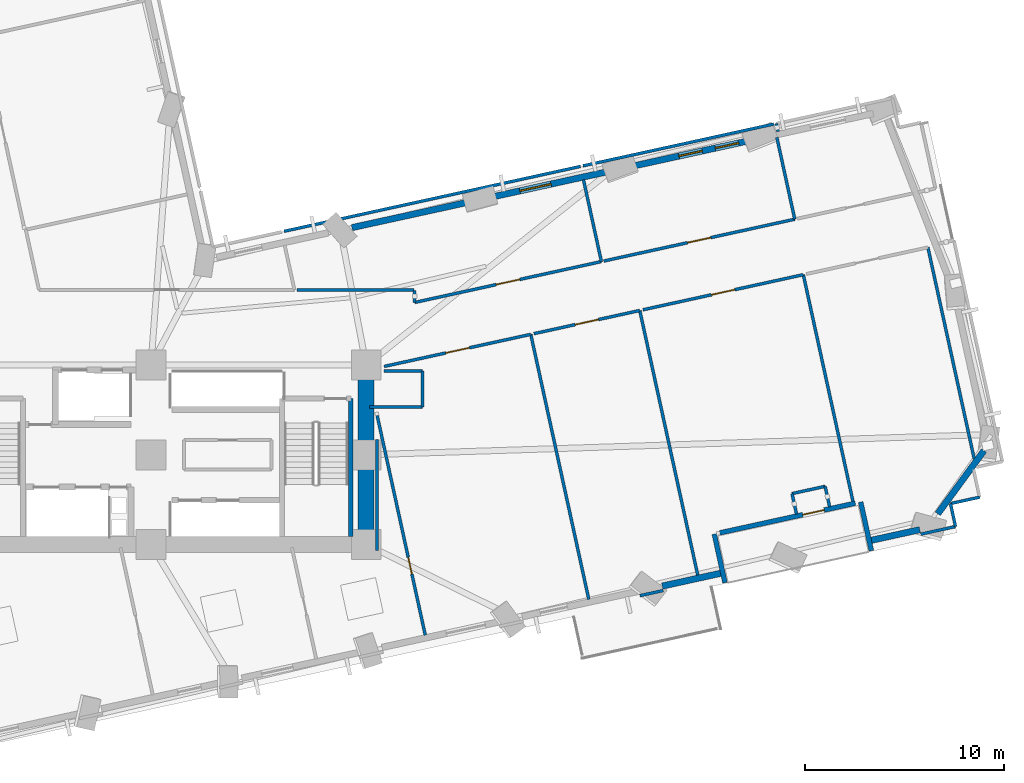
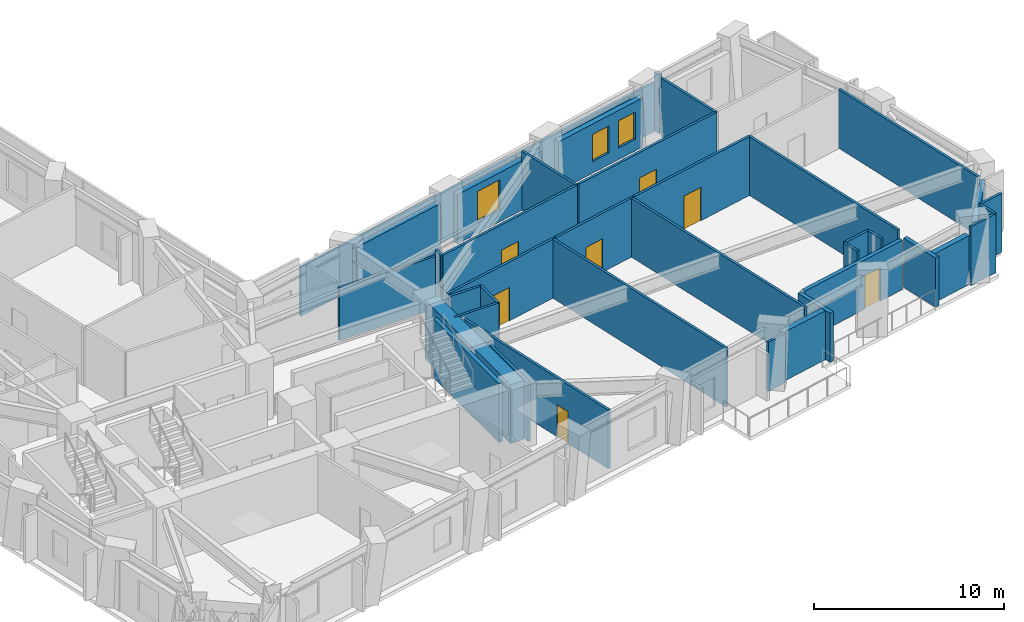
# One storey, part 8 of 14: 39 walls, 7 doors, 3 windows, 10 openings.
"""IFC4 building model written with IfcOpenShell, lengths in metres."""

from ifc_helpers import new_model, si_unit, direction, frame, frame_2d, origin, place, context, subcontext, project, spatial, rectangle, extrude, material, layer, layer_set, type_object, element, fill, save


model = new_model("IFC4")

# Units and contexts
model_context = context("Model", 3, precision=1e-05, world=origin(), true_north=direction((0.0, 1.0)))
body_context = subcontext(model_context, "Body", "Model", "MODEL_VIEW")
ifc_project = project(units=[si_unit("LENGTHUNIT", "METRE"), si_unit("AREAUNIT", "SQUARE_METRE"), si_unit("VOLUMEUNIT", "CUBIC_METRE"), si_unit("PLANEANGLEUNIT", "RADIAN"), si_unit("MASSUNIT", "GRAM", prefix="KILO")], contexts=[model_context])

# Site, building, storey
site_placement = place(None, origin())
site = spatial("IfcSite", under=ifc_project, at=site_placement, CompositionType="ELEMENT")
building_placement = place(site_placement, origin())
building = spatial("IfcBuilding", under=site, at=building_placement, Name="Gaonmaruhae Medical Tower", CompositionType="ELEMENT")
storey_placement = place(building_placement, frame((0.0, 0.0, 75.0)))
storey = spatial("IfcBuildingStorey", under=building, at=storey_placement, Name="L17", CompositionType="ELEMENT", Elevation=75.0)

# Wall
ifc_material_1 = material(Name="Concrete C60/75", Category="concrete")
ifc_layer_1 = layer(ifc_material_1, 0.800048828125)
ifc_layer_set_1 = layer_set([ifc_layer_1], Name="Concrete C60/75")
wall_type_1 = type_object("IfcWallType", Name="CW-800 Lower Core Shear Wall", PredefinedType="SHEAR", material=ifc_layer_set_1)
wall_1_placement = place(storey_placement, frame((35.60009765625, 7.800048828125, 0.0), z_axis=(0.0, 0.0, 1.0), x_axis=(0.0, 1.0, 0.0)))
element("IfcWall", 1, at=wall_1_placement, inside=storey, type_object=wall_type_1, Name="L17 Core Shear Wall CSW-E1", PredefinedType="SHEAR", context=body_context, shape_type="SweptSolid", body=[
    extrude(rectangle(XDim=9.0, YDim=0.800048828125, at=frame_2d((4.5, 0.0))), origin(), (0.0, 0.0, 1.0), 3.780029296875),
])

# Wall, opening, door
ifc_material_2 = material(Name="Precast concrete C45/55", Category="concrete")
ifc_layer_2 = layer(ifc_material_2, 0.239990234375)
ifc_layer_set_2 = layer_set([ifc_layer_2], Name="Precast concrete C45/55")
wall_type_2 = type_object("IfcWallType", Name="EW-240 Ribbon & Shelter Insulated Precast Wall", PredefinedType="SOLIDWALL", material=ifc_layer_set_2)
wall_2_placement = place(storey_placement, frame((60.14013671875, 9.87109375, 0.0), z_axis=(0.0, 0.0, 1.0), x_axis=(-0.976854226767, -0.213906100073, 0.0)))
wall_2 = element("IfcWall", 2, at=wall_2_placement, inside=storey, type_object=wall_type_2, Name="L17 Recessed Terrace Enclosure Wall TERB", PredefinedType="SOLIDWALL", context=body_context, shape_type="SweptSolid", body=[
    extrude(rectangle(XDim=6.9599609375, YDim=0.239990234375, at=frame_2d((3.47998046875, 0.0))), origin(), (0.0, 0.0, 1.0), 3.1650390625),
])
opening_1_placement = place(wall_2_placement, frame((1.595703125, 0.0, 0.0)))
opening_1 = element("IfcOpeningElement", 3, at=opening_1_placement, cuts=wall_2, Name="Opening TD-01", PredefinedType="OPENING", context=body_context, shape_type="SweptSolid", body=[
    extrude(rectangle(XDim=1.10009765625, YDim=2.14990234375, at=frame_2d((0.550048828125, 1.074951171875))), frame((0.0, 0.1298828125, 0.0), z_axis=(0.0, -1.0, 0.0), x_axis=(1.0, 0.0, 0.0)), (0.0, 0.0, 1.0), 0.260009765625),
])
ifc_material_3 = material(Name="Anodised aluminium and toughened safety glass", Category="aluminium")
door_type_1 = type_object("IfcDoorType", Name="TD-01 Terrace & Sky Garden Glazed Door 1100x2150", OperationType="NOTDEFINED", PredefinedType="DOOR", material=ifc_material_3)
door_1_placement = place(opening_1_placement, origin())
door_1 = element("IfcDoor", 4, at=door_1_placement, inside=storey, type_object=door_type_1, Name="L17 Outdoor Terrace Access Door SLB-L17-TER", OperationType="SINGLE_SWING_LEFT", OverallHeight=2.14990234375, OverallWidth=1.10009765625, PredefinedType="DOOR", context=body_context, shape_type="SweptSolid", body=[
    extrude(rectangle(XDim=1.10009765625, YDim=2.14990234375, at=frame_2d((0.550048828125, 1.074951171875))), frame((0.0, 0.02490234375, 0.0), z_axis=(0.0, -1.0, 0.0), x_axis=(1.0, 0.0, 0.0)), (0.0, 0.0, 1.0), 0.050048828125),
])
fill(opening_1, door_1)

# Walls
for number, where, z_axis, x_axis, name in (
    (5, (53.067626953125, 8.322509765625, 0.0), (0.0, 0.0, 1.0), (0.213961895248, -0.97684200738, 0.0), "L17 Recessed Terrace Enclosure Wall TERL"),
    (6, (60.948486328125, 7.48876953125, 0.0), (0.0, 0.0, 1.0), (-0.213868708035, 0.976862413917, 0.0), "L17 Recessed Terrace Enclosure Wall TERR"),
):
    element("IfcWall", number, at=place(storey_placement, frame(where, z_axis=z_axis, x_axis=x_axis)), inside=storey, type_object=wall_type_2, Name=name, PredefinedType="SOLIDWALL", context=body_context, shape_type="SweptSolid", body=[
        extrude(rectangle(XDim=2.5, YDim=0.239990234375, at=frame_2d((1.25, 0.0))), origin(), (0.0, 0.0, 1.0), 3.1650390625),
    ])
ifc_layer_3 = layer(ifc_material_2, 0.320068359375)
ifc_layer_set_3 = layer_set([ifc_layer_3], Name="Precast concrete C45/55")
wall_type_3 = type_object("IfcWallType", Name="EW-320 Lower Precast Masonry-Frame Facade Wall", PredefinedType="SOLIDWALL", material=ifc_layer_set_3)
wall_3_placement = place(storey_placement, frame((53.473876953125, 6.374267578125, 0.0), z_axis=(0.0, 0.0, 1.0), x_axis=(-0.97684998209, -0.213925483498, 0.0)))
element("IfcWall", 7, at=wall_3_placement, inside=storey, type_object=wall_type_3, Name="L17 Precast Masonry-Frame Wall S06-S07", PredefinedType="SOLIDWALL", context=body_context, shape_type="SweptSolid", body=[
    extrude(rectangle(XDim=3.08935546875, YDim=0.320068359375, at=frame_2d((1.544677734375, 0.0))), origin(), (0.0, 0.0, 1.0), 3.14501953125),
])
wall_4_placement = place(storey_placement, frame((63.381103515625, 8.54345703125, 0.0), z_axis=(0.0, 0.0, 1.0), x_axis=(-0.976858669403, -0.213885810685, 0.0)))
element("IfcWall", 8, at=wall_4_placement, inside=storey, type_object=wall_type_3, Name="L17 Precast Masonry-Frame Wall S07-S08", PredefinedType="SOLIDWALL", context=body_context, shape_type="SweptSolid", body=[
    extrude(rectangle(XDim=2.58203125, YDim=0.320068359375, at=frame_2d((1.291015625, 0.0))), origin(), (0.0, 0.0, 1.0), 3.14501953125),
])
wall_5_placement = place(storey_placement, frame((66.600830078125, 12.510986328125, 0.0), z_axis=(0.0, 0.0, 1.0), x_axis=(-0.590589974472, -0.806971797558, 0.0)))
element("IfcWall", 9, at=wall_5_placement, inside=storey, type_object=wall_type_3, Name="L17 Precast Masonry-Frame Wall S08-E01", PredefinedType="SOLIDWALL", context=body_context, shape_type="SweptSolid", body=[
    extrude(rectangle(XDim=3.927490234375, YDim=0.320068359375, at=frame_2d((1.9638671875, 0.0))), origin(), (0.0, 0.0, 1.0), 3.1650390625),
])

# Wall, openings, windows
wall_6_placement = place(storey_placement, frame((48.937744140625, 26.776123046875, 0.0), z_axis=(0.0, 0.0, 1.0), x_axis=(0.976857433448, 0.213891455455, 0.0)))
wall_6 = element("IfcWall", 10, at=wall_6_placement, inside=storey, type_object=wall_type_3, Name="L17 Precast Masonry-Frame Wall EN01-EN02", PredefinedType="SOLIDWALL", context=body_context, shape_type="SweptSolid", body=[
    extrude(rectangle(XDim=6.0244140625, YDim=0.320068359375, at=frame_2d((3.01220703125, 0.0))), origin(), (0.0, 0.0, 1.0), 3.1650390625),
])
opening_2_placement = place(wall_6_placement, frame((2.40869140625, 0.0, 0.75)))
opening_2 = element("IfcOpeningElement", 11, at=opening_2_placement, cuts=wall_6, Name="Opening WN-05", PredefinedType="OPENING", context=body_context, shape_type="SweptSolid", body=[
    extrude(rectangle(XDim=1.199951171875, YDim=1.75, at=frame_2d((0.60009765625, 0.875))), frame((0.0, 0.169921875, 0.0), z_axis=(0.0, -1.0, 0.0), x_axis=(1.0, 0.0, 0.0)), (0.0, 0.0, 1.0), 0.340087890625),
])
opening_3_placement = place(wall_6_placement, frame((4.275146484375, 0.0, 0.75)))
opening_3 = element("IfcOpeningElement", 12, at=opening_3_placement, cuts=wall_6, Name="Opening WN-05", PredefinedType="OPENING", context=body_context, shape_type="SweptSolid", body=[
    extrude(rectangle(XDim=1.199951171875, YDim=1.75, at=frame_2d((0.60009765625, 0.875))), frame((0.0, 0.169921875, 0.0), z_axis=(0.0, -1.0, 0.0), x_axis=(1.0, 0.0, 0.0)), (0.0, 0.0, 1.0), 0.340087890625),
])
ifc_material_4 = material(Name="Anodised aluminium and Low-E double glazing", Category="aluminium")
window_type_1 = type_object("IfcWindowType", Name="WN-05 Support & Staff Punched Window 1200x1750", PartitioningType="SINGLE_PANEL", PredefinedType="WINDOW", material=ifc_material_4)
window_1_placement = place(opening_2_placement, origin())
window_1 = element("IfcWindow", 13, at=window_1_placement, inside=storey, type_object=window_type_1, Name="L17 Modular Facade Window EN01", OverallHeight=1.75, OverallWidth=1.199951171875, PartitioningType="SINGLE_PANEL", PredefinedType="WINDOW", context=body_context, shape_type="SweptSolid", body=[
    extrude(rectangle(XDim=1.199951171875, YDim=1.75, at=frame_2d((0.60009765625, 0.875))), frame((0.0, 0.030029296875, 0.0), z_axis=(0.0, -1.0, 0.0), x_axis=(1.0, 0.0, 0.0)), (0.0, 0.0, 1.0), 0.06005859375),
])
fill(opening_2, window_1)
window_2_placement = place(opening_3_placement, origin())
window_2 = element("IfcWindow", 14, at=window_2_placement, inside=storey, type_object=window_type_1, Name="L17 Modular Facade Window EN01B", OverallHeight=1.75, OverallWidth=1.199951171875, PartitioningType="SINGLE_PANEL", PredefinedType="WINDOW", context=body_context, shape_type="SweptSolid", body=[
    extrude(rectangle(XDim=1.199951171875, YDim=1.75, at=frame_2d((0.60009765625, 0.875))), frame((0.0, 0.030029296875, 0.0), z_axis=(0.0, -1.0, 0.0), x_axis=(1.0, 0.0, 0.0)), (0.0, 0.0, 1.0), 0.06005859375),
])
fill(opening_3, window_2)

# Wall, opening, window
wall_7_placement = place(storey_placement, frame((41.913818359375, 25.23828125, 0.0), z_axis=(0.0, 0.0, 1.0), x_axis=(0.976860180351, 0.213878909769, 0.0)))
wall_7 = element("IfcWall", 15, at=wall_7_placement, inside=storey, type_object=wall_type_3, Name="L17 Precast Masonry-Frame Wall EN02-EN03", PredefinedType="SOLIDWALL", context=body_context, shape_type="SweptSolid", body=[
    extrude(rectangle(XDim=5.999755859375, YDim=0.320068359375, at=frame_2d((3.0, 0.0))), origin(), (0.0, 0.0, 1.0), 3.1650390625),
])
opening_4_placement = place(wall_7_placement, frame((1.4296875, 0.0, 0.75)))
opening_4 = element("IfcOpeningElement", 16, at=opening_4_placement, cuts=wall_7, Name="Opening WN-01", PredefinedType="OPENING", context=body_context, shape_type="SweptSolid", body=[
    extrude(rectangle(XDim=1.60009765625, YDim=1.949951171875, at=frame_2d((0.800048828125, 0.97509765625))), frame((0.0, 0.169921875, 0.0), z_axis=(0.0, -1.0, 0.0), x_axis=(1.0, 0.0, 0.0)), (0.0, 0.0, 1.0), 0.340087890625),
])
window_type_2 = type_object("IfcWindowType", Name="WN-01 Ward Punched Acoustic Window 1600x1950", PartitioningType="SINGLE_PANEL", PredefinedType="WINDOW", material=ifc_material_4)
window_3_placement = place(opening_4_placement, origin())
window_3 = element("IfcWindow", 17, at=window_3_placement, inside=storey, type_object=window_type_2, Name="L17 Modular Facade Window EN02", OverallHeight=1.949951171875, OverallWidth=1.60009765625, PartitioningType="SINGLE_PANEL", PredefinedType="WINDOW", context=body_context, shape_type="SweptSolid", body=[
    extrude(rectangle(XDim=1.60009765625, YDim=1.949951171875, at=frame_2d((0.800048828125, 0.97509765625))), frame((0.0, 0.030029296875, 0.0), z_axis=(0.0, -1.0, 0.0), x_axis=(1.0, 0.0, 0.0)), (0.0, 0.0, 1.0), 0.06005859375),
])
fill(opening_4, window_3)

# Wall
wall_8_placement = place(storey_placement, frame((34.88427734375, 23.69921875, 0.0), z_axis=(0.0, 0.0, 1.0), x_axis=(0.976858764246, 0.213885377519, 0.0)))
element("IfcWall", 18, at=wall_8_placement, inside=storey, type_object=wall_type_3, Name="L17 Precast Masonry-Frame Wall EN03-EN04", PredefinedType="SOLIDWALL", context=body_context, shape_type="SweptSolid", body=[
    extrude(rectangle(XDim=5.98681640625, YDim=0.320068359375, at=frame_2d((2.993408203125, 0.0))), origin(), (0.0, 0.0, 1.0), 3.1650390625),
])

# Wall, opening, door
ifc_material_5 = material(Name="Gypsum board partition", Category="gypsum")
ifc_layer_4 = layer(ifc_material_5, 0.14990234375)
ifc_layer_set_4 = layer_set([ifc_layer_4], Name="Gypsum board partition")
wall_type_4 = type_object("IfcWallType", Name="PW-150 Rated Clinical Corridor Partition", PredefinedType="PARTITIONING", material=ifc_layer_set_4)
wall_9_placement = place(storey_placement, frame((36.14990234375, 14.27587890625, 0.0), z_axis=(0.0, 0.0, 1.0), x_axis=(0.213925186331, -0.976850047168, 0.0)))
wall_9 = element("IfcWall", 19, at=wall_9_placement, inside=storey, type_object=wall_type_4, Name="L17 Interior Partition L17-SUP04-18", PredefinedType="PARTITIONING", context=body_context, shape_type="SweptSolid", body=[
    extrude(rectangle(XDim=11.2890625, YDim=0.14990234375, at=frame_2d((5.64453125, 0.0))), origin(), (0.0, 0.0, 1.0), 3.780029296875),
])
opening_5_placement = place(wall_9_placement, frame((7.287109375, 0.0, 0.0)))
opening_5 = element("IfcOpeningElement", 20, at=opening_5_placement, cuts=wall_9, Name="Opening AD-01", PredefinedType="OPENING", context=body_context, shape_type="SweptSolid", body=[
    extrude(rectangle(XDim=0.860107421875, YDim=2.06005859375, at=frame_2d((0.43017578125, 1.030029296875))), frame((0.0, 0.0849609375, 0.0), z_axis=(0.0, -1.0, 0.0), x_axis=(1.0, 0.0, 0.0)), (0.0, 0.0, 1.0), 0.169921875),
])
ifc_material_6 = material(Name="Powder-coated steel access door", Category="steel")
door_type_2 = type_object("IfcDoorType", Name="AD-01 Riser & Closet Access Fire Door 860x2060", OperationType="NOTDEFINED", PredefinedType="DOOR", material=ifc_material_6)
door_2_placement = place(opening_5_placement, origin())
door_2 = element("IfcDoor", 21, at=door_2_placement, inside=storey, type_object=door_type_2, Name="L17 Clinical Biomedical Charting Office Sliding Door", OperationType="SLIDING_TO_LEFT", OverallHeight=2.06005859375, OverallWidth=0.860107421875, PredefinedType="DOOR", context=body_context, shape_type="SweptSolid", body=[
    extrude(rectangle(XDim=0.860107421875, YDim=2.06005859375, at=frame_2d((0.43017578125, 1.030029296875))), frame((0.0, 0.02490234375, 0.0), z_axis=(0.0, -1.0, 0.0), x_axis=(1.0, 0.0, 0.0)), (0.0, 0.0, 1.0), 0.050048828125),
])
fill(opening_5, door_2)

# Wall
wall_10_placement = place(storey_placement, frame((36.14990234375, 7.5, 0.0), z_axis=(0.0, 0.0, 1.0), x_axis=(0.0, 1.0, 0.0)))
element("IfcWall", 22, at=wall_10_placement, inside=storey, type_object=wall_type_4, Name="L17 Interior Partition L17-SUP04-20", PredefinedType="PARTITIONING", context=body_context, shape_type="SweptSolid", body=[
    extrude(rectangle(XDim=5.56103515625, YDim=0.14990234375, at=frame_2d((2.780517578125, 0.0))), origin(), (0.0, 0.0, 1.0), 3.780029296875),
])

# Wall, opening, door
wall_11_placement = place(storey_placement, frame((36.5, 16.73388671875, 0.0), z_axis=(0.0, 0.0, 1.0), x_axis=(0.976857284262, 0.213892136799, 0.0)))
wall_11 = element("IfcWall", 23, at=wall_11_placement, inside=storey, type_object=wall_type_4, Name="L17 Interior Partition L17-SUP05-21", PredefinedType="PARTITIONING", context=body_context, shape_type="SweptSolid", body=[
    extrude(rectangle(XDim=7.5322265625, YDim=0.14990234375, at=frame_2d((3.76611328125, 0.0))), origin(), (0.0, 0.0, 1.0), 3.780029296875),
])
opening_6_placement = place(wall_11_placement, frame((3.166015625, 0.0, 0.0)))
opening_6 = element("IfcOpeningElement", 24, at=opening_6_placement, cuts=wall_11, Name="Opening CD-02", PredefinedType="OPENING", context=body_context, shape_type="SweptSolid", body=[
    extrude(rectangle(XDim=1.199951171875, YDim=2.14990234375, at=frame_2d((0.60009765625, 1.074951171875))), frame((0.0, 0.0849609375, 0.0), z_axis=(0.0, -1.0, 0.0), x_axis=(1.0, 0.0, 0.0)), (0.0, 0.0, 1.0), 0.169921875),
])
ifc_material_7 = material(Name="Antimicrobial laminate timber fire door", Category="wood")
door_type_3 = type_object("IfcDoorType", Name="CD-02 Clinical Treatment & Procedure Door 1200x2150", OperationType="NOTDEFINED", PredefinedType="DOOR", material=ifc_material_7)
door_3_placement = place(opening_6_placement, origin())
door_3 = element("IfcDoor", 25, at=door_3_placement, inside=storey, type_object=door_type_3, Name="L17 Clinical Biomedical Charting Office Door", OperationType="SINGLE_SWING_RIGHT", OverallHeight=2.14990234375, OverallWidth=1.199951171875, PredefinedType="DOOR", context=body_context, shape_type="SweptSolid", body=[
    extrude(rectangle(XDim=1.199951171875, YDim=2.14990234375, at=frame_2d((0.60009765625, 1.074951171875))), frame((0.0, 0.02490234375, 0.0), z_axis=(0.0, -1.0, 0.0), x_axis=(1.0, 0.0, 0.0)), (0.0, 0.0, 1.0), 0.050048828125),
])
fill(opening_6, door_3)

# Walls
wall_12_placement = place(storey_placement, frame((43.85791015625, 18.344970703125, 0.0), z_axis=(0.0, 0.0, 1.0), x_axis=(0.213887788309, -0.976858236395, 0.0)))
element("IfcWall", 26, at=wall_12_placement, inside=storey, type_object=wall_type_4, Name="L17 Interior Partition L17-SUP05-22", PredefinedType="PARTITIONING", context=body_context, shape_type="SweptSolid", body=[
    extrude(rectangle(XDim=13.615234375, YDim=0.14990234375, at=frame_2d((6.8076171875, 0.0))), origin(), (0.0, 0.0, 1.0), 3.780029296875),
])
wall_13_placement = place(storey_placement, frame((35.760009765625, 14.694091796875, 0.0), z_axis=(0.0, 0.0, 1.0), x_axis=(1.0, 0.0, 0.0)))
element("IfcWall", 27, at=wall_13_placement, inside=storey, type_object=wall_type_4, Name="L17 Interior Partition L17-SUP05-24", PredefinedType="PARTITIONING", context=body_context, shape_type="SweptSolid", body=[
    extrude(rectangle(XDim=2.6630859375, YDim=0.14990234375, at=frame_2d((1.33154296875, 0.0))), origin(), (0.0, 0.0, 1.0), 3.780029296875),
])
wall_14_placement = place(storey_placement, frame((38.423095703125, 14.694091796875, 0.0), z_axis=(0.0, 0.0, 1.0), x_axis=(0.0, 1.0, 0.0)))
element("IfcWall", 28, at=wall_14_placement, inside=storey, type_object=wall_type_4, Name="L17 Interior Partition L17-SUP05-25", PredefinedType="PARTITIONING", context=body_context, shape_type="SweptSolid", body=[
    extrude(rectangle(XDim=1.805908203125, YDim=0.14990234375, at=frame_2d((0.90283203125, 0.0))), origin(), (0.0, 0.0, 1.0), 3.780029296875),
])
wall_15_placement = place(storey_placement, frame((38.423095703125, 16.5, 0.0), z_axis=(0.0, 0.0, 1.0), x_axis=(-1.0, 0.0, 0.0)))
element("IfcWall", 29, at=wall_15_placement, inside=storey, type_object=wall_type_4, Name="L17 Interior Partition L17-SUP05-26", PredefinedType="PARTITIONING", context=body_context, shape_type="SweptSolid", body=[
    extrude(rectangle(XDim=1.923095703125, YDim=0.14990234375, at=frame_2d((0.96142578125, 0.0))), origin(), (0.0, 0.0, 1.0), 3.780029296875),
])

# Wall, opening, door
wall_16_placement = place(storey_placement, frame((44.013916015625, 18.37890625, 0.0), z_axis=(0.0, 0.0, 1.0), x_axis=(0.976874830537, 0.213811986248, 0.0)))
wall_16 = element("IfcWall", 30, at=wall_16_placement, inside=storey, type_object=wall_type_4, Name="L17 Interior Partition L17-SUP06-27", PredefinedType="PARTITIONING", context=body_context, shape_type="SweptSolid", body=[
    extrude(rectangle(XDim=5.439697265625, YDim=0.14990234375, at=frame_2d((2.7197265625, 0.0))), origin(), (0.0, 0.0, 1.0), 3.780029296875),
])
opening_7_placement = place(wall_16_placement, frame((2.119873046875, 0.0, 0.0)))
opening_7 = element("IfcOpeningElement", 31, at=opening_7_placement, cuts=wall_16, Name="Opening CD-02", PredefinedType="OPENING", context=body_context, shape_type="SweptSolid", body=[
    extrude(rectangle(XDim=1.199951171875, YDim=2.14990234375, at=frame_2d((0.60009765625, 1.074951171875))), frame((0.0, 0.0849609375, 0.0), z_axis=(0.0, -1.0, 0.0), x_axis=(1.0, 0.0, 0.0)), (0.0, 0.0, 1.0), 0.169921875),
])
door_4_placement = place(opening_7_placement, origin())
door_4 = element("IfcDoor", 32, at=door_4_placement, inside=storey, type_object=door_type_3, Name="L17 Clinical Biomedical Charting Office Door", OperationType="SINGLE_SWING_RIGHT", OverallHeight=2.14990234375, OverallWidth=1.199951171875, PredefinedType="DOOR", context=body_context, shape_type="SweptSolid", body=[
    extrude(rectangle(XDim=1.199951171875, YDim=2.14990234375, at=frame_2d((0.60009765625, 1.074951171875))), frame((0.0, 0.02490234375, 0.0), z_axis=(0.0, -1.0, 0.0), x_axis=(1.0, 0.0, 0.0)), (0.0, 0.0, 1.0), 0.050048828125),
])
fill(opening_7, door_4)

# Walls
wall_17_placement = place(storey_placement, frame((49.327880859375, 19.5419921875, 0.0), z_axis=(0.0, 0.0, 1.0), x_axis=(0.213971223399, -0.976839964148, 0.0)))
element("IfcWall", 33, at=wall_17_placement, inside=storey, type_object=wall_type_4, Name="L17 Interior Partition L17-SUP06-28", PredefinedType="PARTITIONING", context=body_context, shape_type="SweptSolid", body=[
    extrude(rectangle(XDim=13.614501953125, YDim=0.14990234375, at=frame_2d((6.80712890625, 0.0))), origin(), (0.0, 0.0, 1.0), 3.780029296875),
])
wall_18_placement = place(storey_placement, frame((50.5048828125, 5.489013671875, 0.0), z_axis=(0.0, 0.0, 1.0), x_axis=(-0.976772398995, -0.214279445029, 0.0)))
element("IfcWall", 34, at=wall_18_placement, inside=storey, type_object=wall_type_4, Name="L17 Interior Partition L17-SUP06-29", PredefinedType="PARTITIONING", context=body_context, shape_type="SweptSolid", body=[
    extrude(rectangle(XDim=1.19970703125, YDim=0.14990234375, at=frame_2d((0.599853515625, 0.0))), origin(), (0.0, 0.0, 1.0), 3.1650390625),
])

# Wall, opening, door
wall_19_placement = place(storey_placement, frame((49.485107421875, 19.576904296875, 0.0), z_axis=(0.0, 0.0, 1.0), x_axis=(0.976861340805, 0.213873609498, 0.0)))
wall_19 = element("IfcWall", 35, at=wall_19_placement, inside=storey, type_object=wall_type_4, Name="L17 Interior Partition L17-SUP07-30", PredefinedType="PARTITIONING", context=body_context, shape_type="SweptSolid", body=[
    extrude(rectangle(XDim=8.239501953125, YDim=0.14990234375, at=frame_2d((4.11962890625, 0.0))), origin(), (0.0, 0.0, 1.0), 3.780029296875),
])
opening_8_placement = place(wall_19_placement, frame((3.519775390625, 0.0, 0.0)))
opening_8 = element("IfcOpeningElement", 36, at=opening_8_placement, cuts=wall_19, Name="Opening CD-02", PredefinedType="OPENING", context=body_context, shape_type="SweptSolid", body=[
    extrude(rectangle(XDim=1.199951171875, YDim=2.14990234375, at=frame_2d((0.60009765625, 1.074951171875))), frame((0.0, 0.0849609375, 0.0), z_axis=(0.0, -1.0, 0.0), x_axis=(1.0, 0.0, 0.0)), (0.0, 0.0, 1.0), 0.169921875),
])
door_5_placement = place(opening_8_placement, origin())
door_5 = element("IfcDoor", 37, at=door_5_placement, inside=storey, type_object=door_type_3, Name="L17 Clinical Biomedical Charting Office Door", OperationType="SINGLE_SWING_LEFT", OverallHeight=2.14990234375, OverallWidth=1.199951171875, PredefinedType="DOOR", context=body_context, shape_type="SweptSolid", body=[
    extrude(rectangle(XDim=1.199951171875, YDim=2.14990234375, at=frame_2d((0.60009765625, 1.074951171875))), frame((0.0, 0.02490234375, 0.0), z_axis=(0.0, -1.0, 0.0), x_axis=(1.0, 0.0, 0.0)), (0.0, 0.0, 1.0), 0.050048828125),
])
fill(opening_8, door_5)

# Walls
wall_20_placement = place(storey_placement, frame((57.533935546875, 21.339111328125, 0.0), z_axis=(0.0, 0.0, 1.0), x_axis=(0.213897858368, -0.976856031453, 0.0)))
element("IfcWall", 38, at=wall_20_placement, inside=storey, type_object=wall_type_4, Name="L17 Interior Partition L17-SUP07-31", PredefinedType="PARTITIONING", context=body_context, shape_type="SweptSolid", body=[
    extrude(rectangle(XDim=11.6650390625, YDim=0.14990234375, at=frame_2d((5.83251953125, 0.0))), origin(), (0.0, 0.0, 1.0), 3.780029296875),
])
wall_21_placement = place(storey_placement, frame((58.85498046875, 9.68701171875, 0.0), z_axis=(0.0, 0.0, 1.0), x_axis=(-0.214380359452, 0.976750255429, 0.0)))
element("IfcWall", 39, at=wall_21_placement, inside=storey, type_object=wall_type_4, Name="L17 Interior Partition L17-SUP07-32", PredefinedType="PARTITIONING", context=body_context, shape_type="SweptSolid", body=[
    extrude(rectangle(XDim=1.054443359375, YDim=0.14990234375, at=frame_2d((0.52734375, 0.0))), origin(), (0.0, 0.0, 1.0), 3.780029296875),
])
wall_22_placement = place(storey_placement, frame((58.62890625, 10.717041015625, 0.0), z_axis=(0.0, 0.0, 1.0), x_axis=(-0.976934667461, -0.21353841695, 0.0)))
element("IfcWall", 40, at=wall_22_placement, inside=storey, type_object=wall_type_4, Name="L17 Interior Partition L17-SUP07-33", PredefinedType="PARTITIONING", context=body_context, shape_type="SweptSolid", body=[
    extrude(rectangle(XDim=1.7001953125, YDim=0.14990234375, at=frame_2d((0.85009765625, 0.0))), origin(), (0.0, 0.0, 1.0), 3.780029296875),
])
wall_23_placement = place(storey_placement, frame((56.968017578125, 10.35400390625, 0.0), z_axis=(0.0, 0.0, 1.0), x_axis=(0.21418661944, -0.976792757986, 0.0)))
element("IfcWall", 41, at=wall_23_placement, inside=storey, type_object=wall_type_4, Name="L17 Interior Partition L17-SUP07-34", PredefinedType="PARTITIONING", context=body_context, shape_type="SweptSolid", body=[
    extrude(rectangle(XDim=1.055419921875, YDim=0.14990234375, at=frame_2d((0.52783203125, 0.0))), origin(), (0.0, 0.0, 1.0), 3.780029296875),
])
wall_24_placement = place(storey_placement, frame((66.386962890625, 10.174072265625, 0.0), z_axis=(0.0, 0.0, 1.0), x_axis=(-0.976814973358, -0.214085281661, 0.0)))
element("IfcWall", 42, at=wall_24_placement, inside=storey, type_object=wall_type_4, Name="L17 Interior Partition L17-SUP08-35", PredefinedType="PARTITIONING", context=body_context, shape_type="SweptSolid", body=[
    extrude(rectangle(XDim=1.49951171875, YDim=0.14990234375, at=frame_2d((0.749755859375, 0.0))), origin(), (0.0, 0.0, 1.0), 3.780029296875),
])
wall_25_placement = place(storey_placement, frame((64.922119140625, 9.85302734375, 0.0), z_axis=(0.0, 0.0, 1.0), x_axis=(0.213641313845, -0.976912170576, 0.0)))
element("IfcWall", 43, at=wall_25_placement, inside=storey, type_object=wall_type_4, Name="L17 Interior Partition L17-SUP08-36", PredefinedType="PARTITIONING", context=body_context, shape_type="SweptSolid", body=[
    extrude(rectangle(XDim=1.179443359375, YDim=0.14990234375, at=frame_2d((0.58984375, 0.0))), origin(), (0.0, 0.0, 1.0), 3.780029296875),
])
wall_26_placement = place(storey_placement, frame((65.174072265625, 8.700927734375, 0.0), z_axis=(0.0, 0.0, 1.0), x_axis=(-0.97686432162, -0.213859994263, 0.0)))
element("IfcWall", 44, at=wall_26_placement, inside=storey, type_object=wall_type_4, Name="L17 Interior Partition L17-SUP08-37", PredefinedType="PARTITIONING", context=body_context, shape_type="SweptSolid", body=[
    extrude(rectangle(XDim=1.785400390625, YDim=0.14990234375, at=frame_2d((0.892578125, 0.0))), origin(), (0.0, 0.0, 1.0), 3.780029296875),
])
wall_27_placement = place(storey_placement, frame((63.785888671875, 22.7080078125, 0.0), z_axis=(0.0, 0.0, 1.0), x_axis=(0.213884836968, -0.9768588826, 0.0)))
element("IfcWall", 45, at=wall_27_placement, inside=storey, type_object=wall_type_4, Name="L17 Interior Partition L17-SUP08-39", PredefinedType="PARTITIONING", context=body_context, shape_type="SweptSolid", body=[
    extrude(rectangle(XDim=10.885009765625, YDim=0.14990234375, at=frame_2d((5.4423828125, 0.0))), origin(), (0.0, 0.0, 1.0), 3.780029296875),
])
wall_28_placement = place(storey_placement, frame((38.0, 20.580078125, 0.0), z_axis=(0.0, 0.0, 1.0), x_axis=(-1.0, 0.0, 0.0)))
element("IfcWall", 46, at=wall_28_placement, inside=storey, type_object=wall_type_4, Name="L17 Interior Partition L17-IE02-65", PredefinedType="PARTITIONING", context=body_context, shape_type="SweptSolid", body=[
    extrude(rectangle(XDim=5.8798828125, YDim=0.14990234375, at=frame_2d((2.93994140625, 0.0))), origin(), (0.0, 0.0, 1.0), 3.364990234375),
])
wall_29_placement = place(storey_placement, frame((31.47705078125, 23.51611328125, 0.0), z_axis=(0.0, 0.0, 1.0), x_axis=(0.976858171476, 0.213888084802, 0.0)))
element("IfcWall", 47, at=wall_29_placement, inside=storey, type_object=wall_type_4, Name="L17 Interior Partition L17-IE02-66", PredefinedType="PARTITIONING", context=body_context, shape_type="SweptSolid", body=[
    extrude(rectangle(XDim=15.2314453125, YDim=0.14990234375, at=frame_2d((7.61572265625, 0.0))), origin(), (0.0, 0.0, 1.0), 3.1650390625),
])
wall_30_placement = place(storey_placement, frame((46.5029296875, 26.10498046875, 0.0), z_axis=(0.0, 0.0, 1.0), x_axis=(0.213825003403, -0.976871981336, 0.0)))
element("IfcWall", 48, at=wall_30_placement, inside=storey, type_object=wall_type_4, Name="L17 Interior Partition L17-IE02-67", PredefinedType="PARTITIONING", context=body_context, shape_type="SweptSolid", body=[
    extrude(rectangle(XDim=4.205078125, YDim=0.14990234375, at=frame_2d((2.1025390625, 0.0))), origin(), (0.0, 0.0, 1.0), 3.780029296875),
])

# Wall, opening, door
wall_31_placement = place(storey_placement, frame((47.402099609375, 21.9970703125, 0.0), z_axis=(0.0, 0.0, 1.0), x_axis=(-0.976859493343, -0.213882047555, 0.0)))
wall_31 = element("IfcWall", 49, at=wall_31_placement, inside=storey, type_object=wall_type_4, Name="L17 Interior Partition L17-IE02-68", PredefinedType="PARTITIONING", context=body_context, shape_type="SweptSolid", body=[
    extrude(rectangle(XDim=9.593994140625, YDim=0.14990234375, at=frame_2d((4.796875, 0.0))), origin(), (0.0, 0.0, 1.0), 3.780029296875),
])
opening_9_placement = place(wall_31_placement, frame((4.197021484375, 0.0, 0.0)))
opening_9 = element("IfcOpeningElement", 50, at=opening_9_placement, cuts=wall_31, Name="Opening CD-02", PredefinedType="OPENING", context=body_context, shape_type="SweptSolid", body=[
    extrude(rectangle(XDim=1.199951171875, YDim=2.14990234375, at=frame_2d((0.60009765625, 1.074951171875))), frame((0.0, 0.0849609375, 0.0), z_axis=(0.0, -1.0, 0.0), x_axis=(1.0, 0.0, 0.0)), (0.0, 0.0, 1.0), 0.169921875),
])
door_6_placement = place(opening_9_placement, origin())
door_6 = element("IfcDoor", 51, at=door_6_placement, inside=storey, type_object=door_type_3, Name="L17 Acute Treatment Examination Room Door", OperationType="SINGLE_SWING_LEFT", OverallHeight=2.14990234375, OverallWidth=1.199951171875, PredefinedType="DOOR", context=body_context, shape_type="SweptSolid", body=[
    extrude(rectangle(XDim=1.199951171875, YDim=2.14990234375, at=frame_2d((0.60009765625, 1.074951171875))), frame((0.0, 0.02490234375, 0.0), z_axis=(0.0, -1.0, 0.0), x_axis=(1.0, 0.0, 0.0)), (0.0, 0.0, 1.0), 0.050048828125),
])
fill(opening_9, door_6)

# Wall
wall_32_placement = place(storey_placement, frame((38.030029296875, 19.945068359375, 0.0), z_axis=(0.0, 0.0, 1.0), x_axis=(0.0, 1.0, 0.0)))
element("IfcWall", 52, at=wall_32_placement, inside=storey, type_object=wall_type_4, Name="L17 Interior Partition L17-IE02-69", PredefinedType="PARTITIONING", context=body_context, shape_type="SweptSolid", body=[
    extrude(rectangle(XDim=0.60791015625, YDim=0.14990234375, at=frame_2d((0.303955078125, 0.0))), origin(), (0.0, 0.0, 1.0), 3.780029296875),
])

# Wall, opening, door
wall_33_placement = place(storey_placement, frame((57.10498046875, 24.1220703125, 0.0), z_axis=(0.0, 0.0, 1.0), x_axis=(-0.976853250056, -0.213910560411, 0.0)))
wall_33 = element("IfcWall", 53, at=wall_33_placement, inside=storey, type_object=wall_type_4, Name="L17 Interior Partition L17-IE03-70", PredefinedType="PARTITIONING", context=body_context, shape_type="SweptSolid", body=[
    extrude(rectangle(XDim=9.81298828125, YDim=0.14990234375, at=frame_2d((4.906494140625, 0.0))), origin(), (0.0, 0.0, 1.0), 3.780029296875),
])
opening_10_placement = place(wall_33_placement, frame((4.306640625, 0.0, 0.0)))
opening_10 = element("IfcOpeningElement", 54, at=opening_10_placement, cuts=wall_33, Name="Opening CD-02", PredefinedType="OPENING", context=body_context, shape_type="SweptSolid", body=[
    extrude(rectangle(XDim=1.199951171875, YDim=2.14990234375, at=frame_2d((0.60009765625, 1.074951171875))), frame((0.0, 0.0849609375, 0.0), z_axis=(0.0, -1.0, 0.0), x_axis=(1.0, 0.0, 0.0)), (0.0, 0.0, 1.0), 0.169921875),
])
door_7_placement = place(opening_10_placement, origin())
door_7 = element("IfcDoor", 55, at=door_7_placement, inside=storey, type_object=door_type_3, Name="L17 Clean Medication Preparation Room Door", OperationType="SINGLE_SWING_RIGHT", OverallHeight=2.14990234375, OverallWidth=1.199951171875, PredefinedType="DOOR", context=body_context, shape_type="SweptSolid", body=[
    extrude(rectangle(XDim=1.199951171875, YDim=2.14990234375, at=frame_2d((0.60009765625, 1.074951171875))), frame((0.0, 0.02490234375, 0.0), z_axis=(0.0, -1.0, 0.0), x_axis=(1.0, 0.0, 0.0)), (0.0, 0.0, 1.0), 0.050048828125),
])
fill(opening_10, door_7)

# Walls
wall_34_placement = place(storey_placement, frame((46.472900390625, 26.800048828125, 0.0), z_axis=(0.0, 0.0, 1.0), x_axis=(0.976880374266, 0.21378665621, 0.0)))
element("IfcWall", 56, at=wall_34_placement, inside=storey, type_object=wall_type_4, Name="L17 Interior Partition L17-IE03-71", PredefinedType="PARTITIONING", context=body_context, shape_type="SweptSolid", body=[
    extrude(rectangle(XDim=9.81298828125, YDim=0.14990234375, at=frame_2d((4.906494140625, 0.0))), origin(), (0.0, 0.0, 1.0), 3.1650390625),
])
wall_35_placement = place(storey_placement, frame((56.205078125, 28.22900390625, 0.0), z_axis=(0.0, 0.0, 1.0), x_axis=(0.214039755438, -0.976824950076, 0.0)))
element("IfcWall", 57, at=wall_35_placement, inside=storey, type_object=wall_type_4, Name="L17 Interior Partition L17-IE03-72", PredefinedType="PARTITIONING", context=body_context, shape_type="SweptSolid", body=[
    extrude(rectangle(XDim=4.204345703125, YDim=0.14990234375, at=frame_2d((2.10205078125, 0.0))), origin(), (0.0, 0.0, 1.0), 3.780029296875),
])
wall_36_placement = place(storey_placement, frame((56.264892578125, 28.51904296875, 0.0), z_axis=(0.0, 0.0, 1.0), x_axis=(-0.21431139353, 0.976765389745, 0.0)))
element("IfcWall", 58, at=wall_36_placement, inside=storey, type_object=wall_type_4, Name="L17 Interior Partition L17-IE04-77", PredefinedType="PARTITIONING", context=body_context, shape_type="SweptSolid", body=[
    extrude(rectangle(XDim=0.41455078125, YDim=0.14990234375, at=frame_2d((0.207275390625, 0.0))), origin(), (0.0, 0.0, 1.0), 3.780029296875),
])
ifc_material_8 = material(Name="Concrete C50/60", Category="concrete")
ifc_layer_5 = layer(ifc_material_8, 0.239990234375)
ifc_layer_set_5 = layer_set([ifc_layer_5], Name="Concrete C50/60")
wall_type_5 = type_object("IfcWallType", Name="SW-240 Dogleg Stair Tight Shaft Wall", PredefinedType="SOLIDWALL", material=ifc_layer_set_5)
wall_37_placement = place(storey_placement, frame((34.830078125, 15.1201171875, 0.0), z_axis=(0.0, 0.0, 1.0), x_axis=(0.0, -1.0, 0.0)))
element("IfcWall", 59, at=wall_37_placement, inside=storey, type_object=wall_type_5, Name="L17 ST-02 Stair Shaft Wall SHW-ST-02-E", PredefinedType="SOLIDWALL", context=body_context, shape_type="SweptSolid", body=[
    extrude(rectangle(XDim=6.920166015625, YDim=0.239990234375, at=frame_2d((3.4599609375, 0.0))), origin(), (0.0, 0.0, 1.0), 3.780029296875),
])

save(model, "model.ifc")
